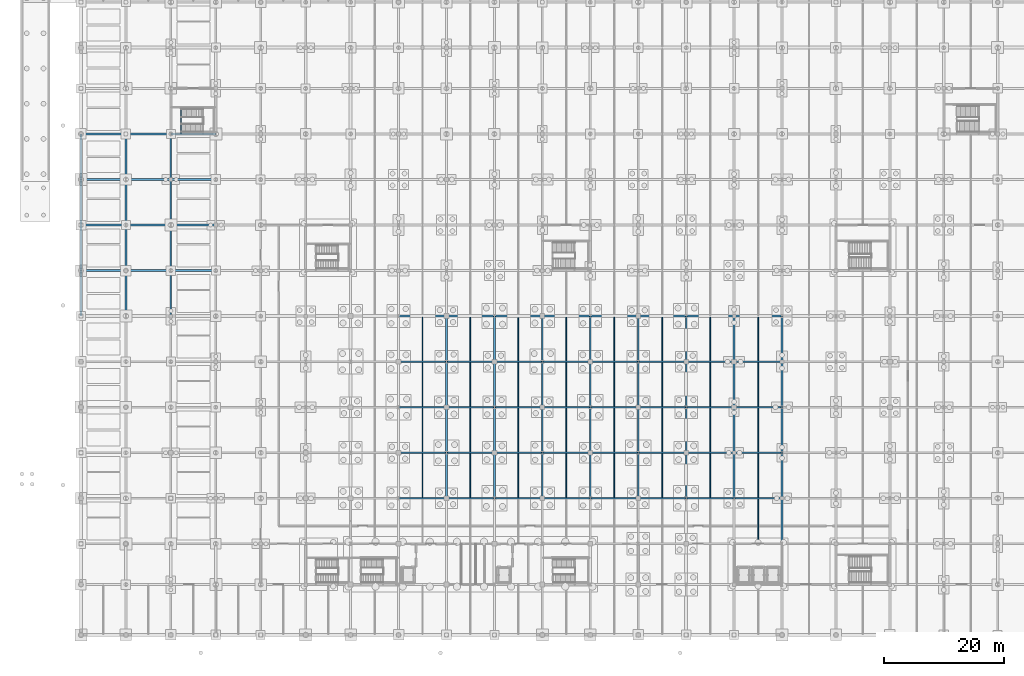
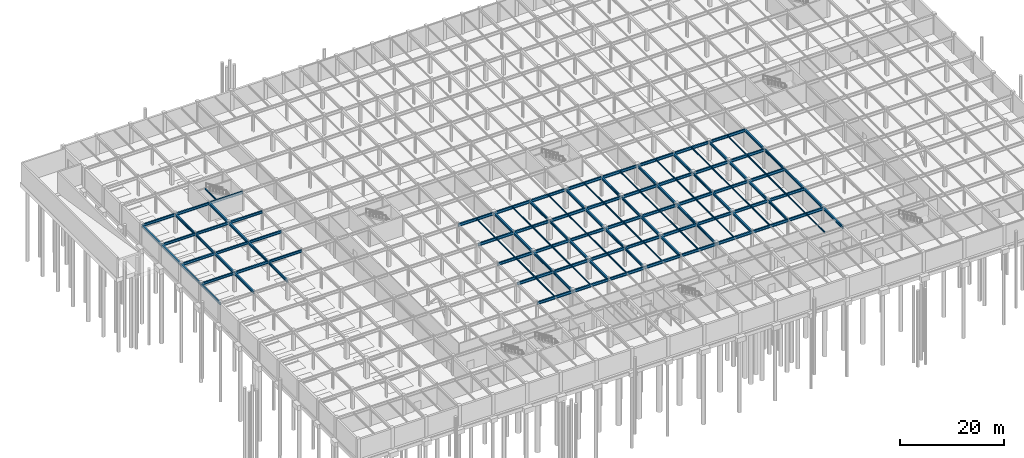
# One storey, part 31 of 53: 131 beams.
"""IFC4 building model written with IfcOpenShell, lengths in metres."""

import ifcopenshell
import ifcopenshell.guid

model = None  # the IFC model being written
_history = None  # IfcOwnerHistory: only IFC2X3 demands one
_inside = {}  # id of a spatial element -> (the spatial element, [elements in it])
_under = {}  # id of a project, library or spatial element -> (it, [spatial elements below it])
_declared = {}  # id of a project -> (the project, [libraries it declares])
_typed = {}  # id of a type object -> (the type object, [elements of that type])
_made_of = {}  # id of a material, layer set ... -> (it, [elements and type objects made of it])


def new_model(schema):
    """Start an empty IFC model of exactly this schema.

    Asked for "IFC4X3", IfcOpenShell would pick the latest addendum, in which some entities
    have other attributes; the version numbers below select the first issue.
    IFC2X3 requires an IfcOwnerHistory on every rooted entity: one is made here for all.
    """
    global model, _history
    if schema == "IFC4X3":
        model = ifcopenshell.file(schema_version=(4, 3, 0, 0))
    else:
        model = ifcopenshell.file(schema=schema)
    _inside.clear()
    _under.clear()
    _declared.clear()
    _typed.clear()
    _made_of.clear()
    _history = None
    if model.schema == "IFC2X3":
        org = make("IfcOrganization", Name="unknown")
        user = make(
            "IfcPersonAndOrganization",
            ThePerson=make("IfcPerson", FamilyName="unknown"),
            TheOrganization=org,
        )
        app = make(
            "IfcApplication",
            ApplicationDeveloper=org,
            Version="unknown",
            ApplicationFullName="unknown",
            ApplicationIdentifier="unknown",
        )
        _history = make(
            "IfcOwnerHistory",
            OwningUser=user,
            OwningApplication=app,
            ChangeAction="ADDED",
            CreationDate=0,
        )
    return model


def make(cls, **values):
    """One entity of the class cls with the attributes given. An attribute that is None is left unset."""
    return model.create_entity(
        cls, **{name: value for name, value in values.items() if value is not None}
    )


def rooted(cls, **values):
    """An entity with a GlobalId (a new one), such as an element, a storey or a relation."""
    return make(cls, GlobalId=ifcopenshell.guid.new(), OwnerHistory=_history, **values)


def si_unit(unit_type, name, prefix=None):
    """IfcSIUnit, for example si_unit("LENGTHUNIT", "METRE", prefix="MILLI")."""
    return make("IfcSIUnit", UnitType=unit_type, Prefix=prefix, Name=name)


def assignment(units):
    """IfcUnitAssignment: the units of a project."""
    return None if units is None else make("IfcUnitAssignment", Units=units)


def point(xyz):
    """IfcCartesianPoint."""
    return None if xyz is None else make("IfcCartesianPoint", Coordinates=xyz)


def direction(xyz):
    """IfcDirection."""
    return None if xyz is None else make("IfcDirection", DirectionRatios=xyz)


def frame(location, z_axis=None, x_axis=None):
    """IfcAxis2Placement3D, a coordinate frame: its origin and axes. An axis left out is left unset."""
    return make(
        "IfcAxis2Placement3D",
        Location=point(location),
        Axis=direction(z_axis),
        RefDirection=direction(x_axis),
    )


def frame_2d(location, x_axis=None):
    """IfcAxis2Placement2D, a coordinate frame in the plane: its origin and x axis."""
    return make(
        "IfcAxis2Placement2D", Location=point(location), RefDirection=direction(x_axis)
    )


def origin():
    """The frame at (0, 0, 0) with its axes left unset."""
    return frame((0.0, 0.0, 0.0))


def origin_2d():
    """The frame at (0, 0) in the plane with its x axis left unset."""
    return frame_2d((0.0, 0.0))


def place(relative_to, where):
    """IfcLocalPlacement: puts the frame where relative to a parent placement (None: the world)."""
    return make(
        "IfcLocalPlacement", PlacementRelTo=relative_to, RelativePlacement=where
    )


def context(
    kind, dimensions, precision=None, world=None, true_north=None, identifier=None
):
    """IfcGeometricRepresentationContext, for example the 3D "Model" context."""
    return make(
        "IfcGeometricRepresentationContext",
        ContextIdentifier=identifier,
        ContextType=kind,
        CoordinateSpaceDimension=dimensions,
        Precision=precision,
        WorldCoordinateSystem=world,
        TrueNorth=true_north,
    )


def subcontext(parent, identifier, kind, view, scale=None):
    """IfcGeometricRepresentationSubContext, for example "Body" below "Model"."""
    return make(
        "IfcGeometricRepresentationSubContext",
        ContextIdentifier=identifier,
        ContextType=kind,
        ParentContext=parent,
        TargetScale=scale,
        TargetView=view,
    )


def project(units=None, contexts=None):
    """IfcProject with its units and contexts."""
    return rooted(
        "IfcProject",
        Name="project",
        RepresentationContexts=contexts,
        UnitsInContext=assignment(units),
    )


def spatial(cls, under=None, at=None, **own):
    """A site, building, storey or space (cls), placed at a placement, below another one or the project."""
    s = rooted(cls, ObjectPlacement=at, **own)
    if under is not None:
        _under.setdefault(under.id(), (under, []))[1].append(s)
    return s


def profile(cls, at=None, kind="AREA", **sizes):
    """A parametric profile (cls). Its sizes go by their IFC names, for example OverallWidth=200.0."""
    return make(cls, ProfileType=kind, Position=at, **sizes)


def hollow_rectangle(**sizes):
    """IfcRectangleHollowProfileDef."""
    return profile("IfcRectangleHollowProfileDef", **sizes)


def i_section(**sizes):
    """IfcIShapeProfileDef."""
    return profile("IfcIShapeProfileDef", **sizes)


def extrude(swept, where, along, depth):
    """IfcExtrudedAreaSolid: the profile swept, set in the frame where, extruded along a direction by depth."""
    return make(
        "IfcExtrudedAreaSolid",
        SweptArea=swept,
        Position=where,
        ExtrudedDirection=direction(along),
        Depth=depth,
    )


def shape(context_of_items, identifier, shape_type, items):
    """IfcShapeRepresentation: the items that make up one representation, for example the "Body"."""
    return make(
        "IfcShapeRepresentation",
        ContextOfItems=context_of_items,
        RepresentationIdentifier=identifier,
        RepresentationType=shape_type,
        Items=items,
    )


def material(Name=None, Category=None):
    """IfcMaterial."""
    return make("IfcMaterial", Name=Name, Category=Category)


def material_profile(
    of_material, cross_section, Name=None, Category=None, Priority=None
):
    """IfcMaterialProfile: a cross section and its material."""
    return make(
        "IfcMaterialProfile",
        Name=Name,
        Material=of_material,
        Profile=cross_section,
        Priority=Priority,
        Category=Category,
    )


def profile_set(profiles, Name=None, composite=None):
    """IfcMaterialProfileSet."""
    return make(
        "IfcMaterialProfileSet",
        Name=Name,
        MaterialProfiles=profiles,
        CompositeProfile=composite,
    )


def made_of(thing, what):
    """Note that an element or type object is made of a material, layer set ...; save() writes the relation."""
    if what is not None:
        _made_of.setdefault(what.id(), (what, []))[1].append(thing)
    return thing


def type_object(cls, material=None, **own):
    """A type object (cls), such as IfcWallType, which elements share."""
    return made_of(rooted(cls, **own), material)


def element(
    cls,
    number,
    at=None,
    inside=None,
    cuts=None,
    type_object=None,
    material=None,
    context=None,
    identifier="Body",
    shape_type=None,
    held_by="IfcProductDefinitionShape",
    body=None,
    shapes=None,
    **own,
):
    """One element of the class cls, such as IfcWall. Its Tag is "e" and its number.

    at: its placement. inside: the storey or other place that contains it. cuts: it is an
    opening in that element (IfcRelVoidsElement). A single representation is given by context,
    identifier, shape_type and body (its items); several are given by shapes. held_by: the class
    of the entity that holds the representations. save() writes the other relations.
    """
    e = rooted(cls, Tag="e%d" % number, ObjectPlacement=at, **own)
    if body is not None:
        shapes = [shape(context, identifier, shape_type, body)]
    if shapes is not None:
        e.Representation = make(held_by, Representations=shapes)
    if inside is not None:
        _inside.setdefault(inside.id(), (inside, []))[1].append(e)
    if cuts is not None:
        rooted(
            "IfcRelVoidsElement", RelatingBuildingElement=cuts, RelatedOpeningElement=e
        )
    if type_object is not None:
        _typed.setdefault(type_object.id(), (type_object, []))[1].append(e)
    return made_of(e, material)


def aggregate(whole, parts):
    """IfcRelAggregates: a whole, such as a stair, and the parts it consists of."""
    return rooted("IfcRelAggregates", RelatingObject=whole, RelatedObjects=parts)


def save(model, path):
    """Write the relations noted so far, then the file.

    IfcRelAggregates (storeys below a building ...), IfcRelContainedInSpatialStructure (elements
    in a storey), IfcRelDefinesByType, IfcRelAssociatesMaterial and IfcRelDeclares: one each for
    every whole, place, type object, material and project.
    """
    for whole, parts in _under.values():
        aggregate(whole, parts)
    for where, things in _inside.values():
        rooted(
            "IfcRelContainedInSpatialStructure",
            RelatedElements=things,
            RelatingStructure=where,
        )
    for kind, things in _typed.values():
        rooted("IfcRelDefinesByType", RelatedObjects=things, RelatingType=kind)
    for what, things in _made_of.values():
        rooted("IfcRelAssociatesMaterial", RelatedObjects=things, RelatingMaterial=what)
    for by, libraries in _declared.values():
        rooted("IfcRelDeclares", RelatingContext=by, RelatedDefinitions=libraries)
    model.write(path)


model = new_model("IFC4")

# Units and contexts
model_context = context("Model", 3, precision=1e-05, world=origin(), true_north=direction((0.0, 1.0)))
body_context = subcontext(model_context, "Body", "Model", "MODEL_VIEW")
ifc_project = project(units=[si_unit("LENGTHUNIT", "METRE"), si_unit("AREAUNIT", "SQUARE_METRE"), si_unit("VOLUMEUNIT", "CUBIC_METRE"), si_unit("PLANEANGLEUNIT", "RADIAN"), si_unit("MASSUNIT", "GRAM", prefix="KILO")], contexts=[model_context])

# Site, building, storey
site_placement = place(None, origin())
site = spatial("IfcSite", under=ifc_project, at=site_placement, CompositionType="ELEMENT")
building_placement = place(site_placement, origin())
building = spatial("IfcBuilding", under=site, at=building_placement, Name="Shalkamar Park Central Library", CompositionType="ELEMENT")
storey_placement = place(building_placement, frame((0.0, 0.0, -4.800048828125)))
storey = spatial("IfcBuildingStorey", under=building, at=storey_placement, Name="B1", CompositionType="ELEMENT", Elevation=-4.800048828125)

# Beams
ifc_material = material(Name="Steel S355", Category="steel")
ifc_material_profile_1 = material_profile(ifc_material, i_section(OverallWidth=0.14990234375, OverallDepth=0.300048828125, WebThickness=0.007080078125, FlangeThickness=0.0107421875, FilletRadius=0.014892578125, at=origin_2d()), Name="IPE 300")
ifc_profile_set_1 = profile_set([ifc_material_profile_1], Name="Steel S355")
beam_type_1 = type_object("IfcBeamType", Name="Composite Floor Joist IPE300", PredefinedType="JOIST", material=ifc_profile_set_1)
for number, where, z_axis, x_axis, name in (
    (1, (177.0, 262.947998046875, 4.360107421875), (0.0, 1.0, 0.0), (-1.0, 0.0, 0.0), "Composite Joist 08/D-1 (B1)"),
    (2, (177.0, 285.748046875, 4.360107421875), (0.0, 1.0, 0.0), (-1.0, 0.0, 0.0), "Composite Joist 08/G-1 (B1)"),
    (3, (185.0, 262.947998046875, 4.360107421875), (0.0, 1.0, 0.0), (-1.0, 0.0, 0.0), "Composite Joist 09/D-1 (B1)"),
    (4, (185.0, 285.748046875, 4.360107421875), (0.0, 1.0, 0.0), (-1.0, 0.0, 0.0), "Composite Joist 09/G-1 (B1)"),
    (5, (193.0, 262.947998046875, 4.360107421875), (0.0, 1.0, 0.0), (-1.0, 0.0, 0.0), "Composite Joist 10/D-1 (B1)"),
    (6, (193.0, 285.748046875, 4.360107421875), (0.0, 1.0, 0.0), (-1.0, 0.0, 0.0), "Composite Joist 10/G-1 (B1)"),
    (7, (201.0, 262.947998046875, 4.360107421875), (0.0, 1.0, 0.0), (-1.0, 0.0, 0.0), "Composite Joist 11/D-1 (B1)"),
    (8, (201.0, 285.748046875, 4.360107421875), (0.0, 1.0, 0.0), (-1.0, 0.0, 0.0), "Composite Joist 11/G-1 (B1)"),
    (9, (209.0, 262.947998046875, 4.360107421875), (0.0, 1.0, 0.0), (-1.0, 0.0, 0.0), "Composite Joist 12/D-1 (B1)"),
    (10, (209.0, 285.748046875, 4.360107421875), (0.0, 1.0, 0.0), (-1.0, 0.0, 0.0), "Composite Joist 12/G-1 (B1)"),
    (11, (217.0, 262.947998046875, 4.360107421875), (0.0, 1.0, 0.0), (-1.0, 0.0, 0.0), "Composite Joist 13/D-1 (B1)"),
    (12, (217.0, 285.748046875, 4.360107421875), (0.0, 1.0, 0.0), (-1.0, 0.0, 0.0), "Composite Joist 13/G-1 (B1)"),
    (13, (225.0, 262.947998046875, 4.360107421875), (0.0, 1.0, 0.0), (-1.0, 0.0, 0.0), "Composite Joist 14/D-1 (B1)"),
    (14, (225.0, 285.748046875, 4.360107421875), (0.0, 1.0, 0.0), (-1.0, 0.0, 0.0), "Composite Joist 14/G-1 (B1)"),
    (15, (233.0, 262.947998046875, 4.360107421875), (0.0, 1.0, 0.0), (-1.0, 0.0, 0.0), "Composite Joist 15/D-1 (B1)"),
    (16, (233.0, 285.748046875, 4.360107421875), (0.0, 1.0, 0.0), (-1.0, 0.0, 0.0), "Composite Joist 15/G-1 (B1)"),
):
    element("IfcBeam", number, at=place(storey_placement, frame(where, z_axis=z_axis, x_axis=x_axis)), inside=storey, type_object=beam_type_1, Name=name, PredefinedType="JOIST", context=body_context, shape_type="SweptSolid", body=[
        extrude(i_section(OverallWidth=0.14990234375, OverallDepth=0.300048828125, WebThickness=0.007080078125, FlangeThickness=0.0107421875, FilletRadius=0.014892578125, at=origin_2d()), origin(), (0.0, 0.0, 1.0), 7.303955078125),
    ])
ifc_material_profile_2 = material_profile(ifc_material, i_section(OverallWidth=0.159912109375, OverallDepth=0.330078125, WebThickness=0.007568359375, FlangeThickness=0.011474609375, FilletRadius=0.01806640625, at=origin_2d()), Name="IPE 330")
ifc_profile_set_2 = profile_set([ifc_material_profile_2], Name="Steel S355")
beam_type_2 = type_object("IfcBeamType", Name="Composite Floor Joist IPE330", PredefinedType="JOIST", material=ifc_profile_set_2)
for number, where, z_axis, x_axis, name in (
    (17, (177.0, 270.548095703125, 4.344970703125), (0.0, 1.0, 0.0), (-1.0, 0.0, 0.0), "Composite Joist 08/E-1 (B1)"),
    (18, (177.0, 278.14794921875, 4.344970703125), (0.0, 1.0, 0.0), (-1.0, 0.0, 0.0), "Composite Joist 08/F-1 (B1)"),
    (19, (185.0, 270.548095703125, 4.344970703125), (0.0, 1.0, 0.0), (-1.0, 0.0, 0.0), "Composite Joist 09/E-1 (B1)"),
    (20, (185.0, 278.14794921875, 4.344970703125), (0.0, 1.0, 0.0), (-1.0, 0.0, 0.0), "Composite Joist 09/F-1 (B1)"),
    (21, (193.0, 270.548095703125, 4.344970703125), (0.0, 1.0, 0.0), (-1.0, 0.0, 0.0), "Composite Joist 10/E-1 (B1)"),
    (22, (193.0, 278.14794921875, 4.344970703125), (0.0, 1.0, 0.0), (-1.0, 0.0, 0.0), "Composite Joist 10/F-1 (B1)"),
    (23, (201.0, 270.548095703125, 4.344970703125), (0.0, 1.0, 0.0), (-1.0, 0.0, 0.0), "Composite Joist 11/E-1 (B1)"),
    (24, (201.0, 278.14794921875, 4.344970703125), (0.0, 1.0, 0.0), (-1.0, 0.0, 0.0), "Composite Joist 11/F-1 (B1)"),
    (25, (209.0, 270.548095703125, 4.344970703125), (0.0, 1.0, 0.0), (-1.0, 0.0, 0.0), "Composite Joist 12/E-1 (B1)"),
    (26, (209.0, 278.14794921875, 4.344970703125), (0.0, 1.0, 0.0), (-1.0, 0.0, 0.0), "Composite Joist 12/F-1 (B1)"),
    (27, (217.0, 270.548095703125, 4.344970703125), (0.0, 1.0, 0.0), (-1.0, 0.0, 0.0), "Composite Joist 13/E-1 (B1)"),
    (28, (217.0, 278.14794921875, 4.344970703125), (0.0, 1.0, 0.0), (-1.0, 0.0, 0.0), "Composite Joist 13/F-1 (B1)"),
    (29, (225.0, 270.548095703125, 4.344970703125), (0.0, 1.0, 0.0), (-1.0, 0.0, 0.0), "Composite Joist 14/E-1 (B1)"),
    (30, (225.0, 278.14794921875, 4.344970703125), (0.0, 1.0, 0.0), (-1.0, 0.0, 0.0), "Composite Joist 14/F-1 (B1)"),
):
    element("IfcBeam", number, at=place(storey_placement, frame(where, z_axis=z_axis, x_axis=x_axis)), inside=storey, type_object=beam_type_2, Name=name, PredefinedType="JOIST", context=body_context, shape_type="SweptSolid", body=[
        extrude(i_section(OverallWidth=0.159912109375, OverallDepth=0.330078125, WebThickness=0.007568359375, FlangeThickness=0.011474609375, FilletRadius=0.01806640625, at=origin_2d()), origin(), (0.0, 0.0, 1.0), 7.303955078125),
    ])
beam_1_placement = place(storey_placement, frame((233.0, 255.347900390625, 4.344970703125), z_axis=(0.0, 1.0, 0.0), x_axis=(-1.0, 0.0, 0.0)))
element("IfcBeam", 31, at=beam_1_placement, inside=storey, type_object=beam_type_2, Name="Composite Joist 15/C-1 (B1)", PredefinedType="JOIST", context=body_context, shape_type="SweptSolid", body=[
    extrude(i_section(OverallWidth=0.159912109375, OverallDepth=0.330078125, WebThickness=0.007568359375, FlangeThickness=0.011474609375, FilletRadius=0.01806640625, at=origin_2d()), origin(), (0.0, 0.0, 1.0), 7.30419921875),
])
for number, where, z_axis, x_axis, name in (
    (32, (233.0, 270.548095703125, 4.344970703125), (0.0, 1.0, 0.0), (-1.0, 0.0, 0.0), "Composite Joist 15/E-1 (B1)"),
    (33, (233.0, 278.14794921875, 4.344970703125), (0.0, 1.0, 0.0), (-1.0, 0.0, 0.0), "Composite Joist 15/F-1 (B1)"),
):
    element("IfcBeam", number, at=place(storey_placement, frame(where, z_axis=z_axis, x_axis=x_axis)), inside=storey, type_object=beam_type_2, Name=name, PredefinedType="JOIST", context=body_context, shape_type="SweptSolid", body=[
        extrude(i_section(OverallWidth=0.159912109375, OverallDepth=0.330078125, WebThickness=0.007568359375, FlangeThickness=0.011474609375, FilletRadius=0.01806640625, at=origin_2d()), origin(), (0.0, 0.0, 1.0), 7.303955078125),
    ])
ifc_material_profile_3 = material_profile(ifc_material, i_section(OverallWidth=0.300048828125, OverallDepth=0.60009765625, WebThickness=0.015380859375, FlangeThickness=0.030029296875, FilletRadius=0.027099609375, at=origin_2d()), Name="HEB 600")
ifc_profile_set_3 = profile_set([ifc_material_profile_3], Name="Steel S355")
beam_type_3 = type_object("IfcBeamType", Name="Primary Girder HEB600", PredefinedType="BEAM", material=ifc_profile_set_3)
for number, where, z_axis, x_axis, name in (
    (34, (120.0, 300.800048828125, 4.2099609375), (1.0, 0.0, 0.0), (0.0, 1.0, 0.0), "Beam J:01-02 (B1)"),
    (35, (127.5, 300.800048828125, 4.2099609375), (1.0, 0.0, 0.0), (0.0, 1.0, 0.0), "Beam J:02-03 (B1)"),
    (36, (135.0, 300.800048828125, 4.2099609375), (1.0, 0.0, 0.0), (0.0, 1.0, 0.0), "Beam J:03-04 (B1)"),
    (37, (120.0, 308.39990234375, 4.2099609375), (1.0, 0.0, 0.0), (0.0, 1.0, 0.0), "Beam K:01-02 (B1)"),
    (38, (127.5, 308.39990234375, 4.2099609375), (1.0, 0.0, 0.0), (0.0, 1.0, 0.0), "Beam K:02-03 (B1)"),
    (39, (135.0, 308.39990234375, 4.2099609375), (1.0, 0.0, 0.0), (0.0, 1.0, 0.0), "Beam K:03-04 (B1)"),
    (40, (120.0, 316.0, 4.2099609375), (1.0, 0.0, 0.0), (0.0, 1.0, 0.0), "Beam L:01-02 (B1)"),
    (41, (127.5, 316.0, 4.2099609375), (1.0, 0.0, 0.0), (0.0, 1.0, 0.0), "Beam L:02-03 (B1)"),
    (42, (135.0, 316.0, 4.2099609375), (1.0, 0.0, 0.0), (0.0, 1.0, 0.0), "Beam L:03-04 (B1)"),
    (43, (120.0, 323.60009765625, 4.2099609375), (1.0, 0.0, 0.0), (0.0, 1.0, 0.0), "Beam M:01-02 (B1)"),
    (44, (127.5, 323.60009765625, 4.2099609375), (1.0, 0.0, 0.0), (0.0, 1.0, 0.0), "Beam M:02-03 (B1)"),
    (45, (135.0, 323.60009765625, 4.2099609375), (1.0, 0.0, 0.0), (0.0, 1.0, 0.0), "Beam M:03-04 (B1)"),
):
    element("IfcBeam", number, at=place(storey_placement, frame(where, z_axis=z_axis, x_axis=x_axis)), inside=storey, type_object=beam_type_3, Name=name, PredefinedType="BEAM", context=body_context, shape_type="SweptSolid", body=[
        extrude(i_section(OverallWidth=0.300048828125, OverallDepth=0.60009765625, WebThickness=0.015380859375, FlangeThickness=0.030029296875, FilletRadius=0.027099609375, at=origin_2d()), origin(), (0.0, 0.0, 1.0), 7.5),
    ])
beam_2_placement = place(storey_placement, frame((120.0, 293.199951171875, 4.2099609375), z_axis=(0.0, 1.0, 0.0), x_axis=(-1.0, 0.0, 0.0)))
element("IfcBeam", 46, at=beam_2_placement, inside=storey, type_object=beam_type_3, Name="Beam 01:H-J (B1)", PredefinedType="BEAM", context=body_context, shape_type="SweptSolid", body=[
    extrude(i_section(OverallWidth=0.300048828125, OverallDepth=0.60009765625, WebThickness=0.015380859375, FlangeThickness=0.030029296875, FilletRadius=0.027099609375, at=origin_2d()), origin(), (0.0, 0.0, 1.0), 7.60009765625),
])
beam_3_placement = place(storey_placement, frame((120.0, 300.800048828125, 4.2099609375), z_axis=(0.0, 1.0, 0.0), x_axis=(-1.0, 0.0, 0.0)))
element("IfcBeam", 47, at=beam_3_placement, inside=storey, type_object=beam_type_3, Name="Beam 01:J-K (B1)", PredefinedType="BEAM", context=body_context, shape_type="SweptSolid", body=[
    extrude(i_section(OverallWidth=0.300048828125, OverallDepth=0.60009765625, WebThickness=0.015380859375, FlangeThickness=0.030029296875, FilletRadius=0.027099609375, at=origin_2d()), origin(), (0.0, 0.0, 1.0), 7.599853515625),
])
for number, where, z_axis, x_axis, name in (
    (48, (120.0, 308.39990234375, 4.2099609375), (0.0, 1.0, 0.0), (-1.0, 0.0, 0.0), "Beam 01:K-L (B1)"),
    (49, (120.0, 316.0, 4.2099609375), (0.0, 1.0, 0.0), (-1.0, 0.0, 0.0), "Beam 01:L-M (B1)"),
    (50, (127.5, 293.199951171875, 4.2099609375), (0.0, 1.0, 0.0), (-1.0, 0.0, 0.0), "Beam 02:H-J (B1)"),
):
    element("IfcBeam", number, at=place(storey_placement, frame(where, z_axis=z_axis, x_axis=x_axis)), inside=storey, type_object=beam_type_3, Name=name, PredefinedType="BEAM", context=body_context, shape_type="SweptSolid", body=[
        extrude(i_section(OverallWidth=0.300048828125, OverallDepth=0.60009765625, WebThickness=0.015380859375, FlangeThickness=0.030029296875, FilletRadius=0.027099609375, at=origin_2d()), origin(), (0.0, 0.0, 1.0), 7.60009765625),
    ])
beam_4_placement = place(storey_placement, frame((127.5, 300.800048828125, 4.2099609375), z_axis=(0.0, 1.0, 0.0), x_axis=(-1.0, 0.0, 0.0)))
element("IfcBeam", 51, at=beam_4_placement, inside=storey, type_object=beam_type_3, Name="Beam 02:J-K (B1)", PredefinedType="BEAM", context=body_context, shape_type="SweptSolid", body=[
    extrude(i_section(OverallWidth=0.300048828125, OverallDepth=0.60009765625, WebThickness=0.015380859375, FlangeThickness=0.030029296875, FilletRadius=0.027099609375, at=origin_2d()), origin(), (0.0, 0.0, 1.0), 7.599853515625),
])
for number, where, z_axis, x_axis, name in (
    (52, (127.5, 308.39990234375, 4.2099609375), (0.0, 1.0, 0.0), (-1.0, 0.0, 0.0), "Beam 02:K-L (B1)"),
    (53, (127.5, 316.0, 4.2099609375), (0.0, 1.0, 0.0), (-1.0, 0.0, 0.0), "Beam 02:L-M (B1)"),
    (54, (135.0, 293.199951171875, 4.2099609375), (0.0, 1.0, 0.0), (-1.0, 0.0, 0.0), "Beam 03:H-J (B1)"),
):
    element("IfcBeam", number, at=place(storey_placement, frame(where, z_axis=z_axis, x_axis=x_axis)), inside=storey, type_object=beam_type_3, Name=name, PredefinedType="BEAM", context=body_context, shape_type="SweptSolid", body=[
        extrude(i_section(OverallWidth=0.300048828125, OverallDepth=0.60009765625, WebThickness=0.015380859375, FlangeThickness=0.030029296875, FilletRadius=0.027099609375, at=origin_2d()), origin(), (0.0, 0.0, 1.0), 7.60009765625),
    ])
beam_5_placement = place(storey_placement, frame((135.0, 300.800048828125, 4.2099609375), z_axis=(0.0, 1.0, 0.0), x_axis=(-1.0, 0.0, 0.0)))
element("IfcBeam", 55, at=beam_5_placement, inside=storey, type_object=beam_type_3, Name="Beam 03:J-K (B1)", PredefinedType="BEAM", context=body_context, shape_type="SweptSolid", body=[
    extrude(i_section(OverallWidth=0.300048828125, OverallDepth=0.60009765625, WebThickness=0.015380859375, FlangeThickness=0.030029296875, FilletRadius=0.027099609375, at=origin_2d()), origin(), (0.0, 0.0, 1.0), 7.599853515625),
])
for number, where, z_axis, x_axis, name in (
    (56, (135.0, 308.39990234375, 4.2099609375), (0.0, 1.0, 0.0), (-1.0, 0.0, 0.0), "Beam 03:K-L (B1)"),
    (57, (135.0, 316.0, 4.2099609375), (0.0, 1.0, 0.0), (-1.0, 0.0, 0.0), "Beam 03:L-M (B1)"),
):
    element("IfcBeam", number, at=place(storey_placement, frame(where, z_axis=z_axis, x_axis=x_axis)), inside=storey, type_object=beam_type_3, Name=name, PredefinedType="BEAM", context=body_context, shape_type="SweptSolid", body=[
        extrude(i_section(OverallWidth=0.300048828125, OverallDepth=0.60009765625, WebThickness=0.015380859375, FlangeThickness=0.030029296875, FilletRadius=0.027099609375, at=origin_2d()), origin(), (0.0, 0.0, 1.0), 7.60009765625),
    ])
beam_6_placement = place(storey_placement, frame((181.0, 262.800048828125, 4.2099609375), z_axis=(0.0, 1.0, 0.0), x_axis=(-1.0, 0.0, 0.0)))
element("IfcBeam", 58, at=beam_6_placement, inside=storey, type_object=beam_type_3, Name="Beam 09:D-E (B1)", PredefinedType="BEAM", context=body_context, shape_type="SweptSolid", body=[
    extrude(i_section(OverallWidth=0.300048828125, OverallDepth=0.60009765625, WebThickness=0.015380859375, FlangeThickness=0.030029296875, FilletRadius=0.027099609375, at=origin_2d()), origin(), (0.0, 0.0, 1.0), 7.599853515625),
])
for number, where, z_axis, x_axis, name in (
    (59, (181.0, 270.39990234375, 4.2099609375), (0.0, 1.0, 0.0), (-1.0, 0.0, 0.0), "Beam 09:E-F (B1)"),
    (60, (181.0, 278.0, 4.2099609375), (0.0, 1.0, 0.0), (-1.0, 0.0, 0.0), "Beam 09:F-G (B1)"),
):
    element("IfcBeam", number, at=place(storey_placement, frame(where, z_axis=z_axis, x_axis=x_axis)), inside=storey, type_object=beam_type_3, Name=name, PredefinedType="BEAM", context=body_context, shape_type="SweptSolid", body=[
        extrude(i_section(OverallWidth=0.300048828125, OverallDepth=0.60009765625, WebThickness=0.015380859375, FlangeThickness=0.030029296875, FilletRadius=0.027099609375, at=origin_2d()), origin(), (0.0, 0.0, 1.0), 7.60009765625),
    ])
for number, where, z_axis, x_axis, name in (
    (61, (181.0, 285.60009765625, 4.2099609375), (0.0, 1.0, 0.0), (-1.0, 0.0, 0.0), "Beam 09:G-H (B1)"),
    (62, (189.0, 262.800048828125, 4.2099609375), (0.0, 1.0, 0.0), (-1.0, 0.0, 0.0), "Beam 10:D-E (B1)"),
):
    element("IfcBeam", number, at=place(storey_placement, frame(where, z_axis=z_axis, x_axis=x_axis)), inside=storey, type_object=beam_type_3, Name=name, PredefinedType="BEAM", context=body_context, shape_type="SweptSolid", body=[
        extrude(i_section(OverallWidth=0.300048828125, OverallDepth=0.60009765625, WebThickness=0.015380859375, FlangeThickness=0.030029296875, FilletRadius=0.027099609375, at=origin_2d()), origin(), (0.0, 0.0, 1.0), 7.599853515625),
    ])
for number, where, z_axis, x_axis, name in (
    (63, (189.0, 270.39990234375, 4.2099609375), (0.0, 1.0, 0.0), (-1.0, 0.0, 0.0), "Beam 10:E-F (B1)"),
    (64, (189.0, 278.0, 4.2099609375), (0.0, 1.0, 0.0), (-1.0, 0.0, 0.0), "Beam 10:F-G (B1)"),
):
    element("IfcBeam", number, at=place(storey_placement, frame(where, z_axis=z_axis, x_axis=x_axis)), inside=storey, type_object=beam_type_3, Name=name, PredefinedType="BEAM", context=body_context, shape_type="SweptSolid", body=[
        extrude(i_section(OverallWidth=0.300048828125, OverallDepth=0.60009765625, WebThickness=0.015380859375, FlangeThickness=0.030029296875, FilletRadius=0.027099609375, at=origin_2d()), origin(), (0.0, 0.0, 1.0), 7.60009765625),
    ])
for number, where, z_axis, x_axis, name in (
    (65, (189.0, 285.60009765625, 4.2099609375), (0.0, 1.0, 0.0), (-1.0, 0.0, 0.0), "Beam 10:G-H (B1)"),
    (66, (197.0, 262.800048828125, 4.2099609375), (0.0, 1.0, 0.0), (-1.0, 0.0, 0.0), "Beam 11:D-E (B1)"),
):
    element("IfcBeam", number, at=place(storey_placement, frame(where, z_axis=z_axis, x_axis=x_axis)), inside=storey, type_object=beam_type_3, Name=name, PredefinedType="BEAM", context=body_context, shape_type="SweptSolid", body=[
        extrude(i_section(OverallWidth=0.300048828125, OverallDepth=0.60009765625, WebThickness=0.015380859375, FlangeThickness=0.030029296875, FilletRadius=0.027099609375, at=origin_2d()), origin(), (0.0, 0.0, 1.0), 7.599853515625),
    ])
for number, where, z_axis, x_axis, name in (
    (67, (197.0, 270.39990234375, 4.2099609375), (0.0, 1.0, 0.0), (-1.0, 0.0, 0.0), "Beam 11:E-F (B1)"),
    (68, (197.0, 278.0, 4.2099609375), (0.0, 1.0, 0.0), (-1.0, 0.0, 0.0), "Beam 11:F-G (B1)"),
):
    element("IfcBeam", number, at=place(storey_placement, frame(where, z_axis=z_axis, x_axis=x_axis)), inside=storey, type_object=beam_type_3, Name=name, PredefinedType="BEAM", context=body_context, shape_type="SweptSolid", body=[
        extrude(i_section(OverallWidth=0.300048828125, OverallDepth=0.60009765625, WebThickness=0.015380859375, FlangeThickness=0.030029296875, FilletRadius=0.027099609375, at=origin_2d()), origin(), (0.0, 0.0, 1.0), 7.60009765625),
    ])
for number, where, z_axis, x_axis, name in (
    (69, (197.0, 285.60009765625, 4.2099609375), (0.0, 1.0, 0.0), (-1.0, 0.0, 0.0), "Beam 11:G-H (B1)"),
    (70, (205.0, 262.800048828125, 4.2099609375), (0.0, 1.0, 0.0), (-1.0, 0.0, 0.0), "Beam 12:D-E (B1)"),
):
    element("IfcBeam", number, at=place(storey_placement, frame(where, z_axis=z_axis, x_axis=x_axis)), inside=storey, type_object=beam_type_3, Name=name, PredefinedType="BEAM", context=body_context, shape_type="SweptSolid", body=[
        extrude(i_section(OverallWidth=0.300048828125, OverallDepth=0.60009765625, WebThickness=0.015380859375, FlangeThickness=0.030029296875, FilletRadius=0.027099609375, at=origin_2d()), origin(), (0.0, 0.0, 1.0), 7.599853515625),
    ])
for number, where, z_axis, x_axis, name in (
    (71, (205.0, 270.39990234375, 4.2099609375), (0.0, 1.0, 0.0), (-1.0, 0.0, 0.0), "Beam 12:E-F (B1)"),
    (72, (205.0, 278.0, 4.2099609375), (0.0, 1.0, 0.0), (-1.0, 0.0, 0.0), "Beam 12:F-G (B1)"),
):
    element("IfcBeam", number, at=place(storey_placement, frame(where, z_axis=z_axis, x_axis=x_axis)), inside=storey, type_object=beam_type_3, Name=name, PredefinedType="BEAM", context=body_context, shape_type="SweptSolid", body=[
        extrude(i_section(OverallWidth=0.300048828125, OverallDepth=0.60009765625, WebThickness=0.015380859375, FlangeThickness=0.030029296875, FilletRadius=0.027099609375, at=origin_2d()), origin(), (0.0, 0.0, 1.0), 7.60009765625),
    ])
for number, where, z_axis, x_axis, name in (
    (73, (205.0, 285.60009765625, 4.2099609375), (0.0, 1.0, 0.0), (-1.0, 0.0, 0.0), "Beam 12:G-H (B1)"),
    (74, (213.0, 262.800048828125, 4.2099609375), (0.0, 1.0, 0.0), (-1.0, 0.0, 0.0), "Beam 13:D-E (B1)"),
):
    element("IfcBeam", number, at=place(storey_placement, frame(where, z_axis=z_axis, x_axis=x_axis)), inside=storey, type_object=beam_type_3, Name=name, PredefinedType="BEAM", context=body_context, shape_type="SweptSolid", body=[
        extrude(i_section(OverallWidth=0.300048828125, OverallDepth=0.60009765625, WebThickness=0.015380859375, FlangeThickness=0.030029296875, FilletRadius=0.027099609375, at=origin_2d()), origin(), (0.0, 0.0, 1.0), 7.599853515625),
    ])
for number, where, z_axis, x_axis, name in (
    (75, (213.0, 270.39990234375, 4.2099609375), (0.0, 1.0, 0.0), (-1.0, 0.0, 0.0), "Beam 13:E-F (B1)"),
    (76, (213.0, 278.0, 4.2099609375), (0.0, 1.0, 0.0), (-1.0, 0.0, 0.0), "Beam 13:F-G (B1)"),
):
    element("IfcBeam", number, at=place(storey_placement, frame(where, z_axis=z_axis, x_axis=x_axis)), inside=storey, type_object=beam_type_3, Name=name, PredefinedType="BEAM", context=body_context, shape_type="SweptSolid", body=[
        extrude(i_section(OverallWidth=0.300048828125, OverallDepth=0.60009765625, WebThickness=0.015380859375, FlangeThickness=0.030029296875, FilletRadius=0.027099609375, at=origin_2d()), origin(), (0.0, 0.0, 1.0), 7.60009765625),
    ])
for number, where, z_axis, x_axis, name in (
    (77, (213.0, 285.60009765625, 4.2099609375), (0.0, 1.0, 0.0), (-1.0, 0.0, 0.0), "Beam 13:G-H (B1)"),
    (78, (221.0, 262.800048828125, 4.2099609375), (0.0, 1.0, 0.0), (-1.0, 0.0, 0.0), "Beam 14:D-E (B1)"),
):
    element("IfcBeam", number, at=place(storey_placement, frame(where, z_axis=z_axis, x_axis=x_axis)), inside=storey, type_object=beam_type_3, Name=name, PredefinedType="BEAM", context=body_context, shape_type="SweptSolid", body=[
        extrude(i_section(OverallWidth=0.300048828125, OverallDepth=0.60009765625, WebThickness=0.015380859375, FlangeThickness=0.030029296875, FilletRadius=0.027099609375, at=origin_2d()), origin(), (0.0, 0.0, 1.0), 7.599853515625),
    ])
for number, where, z_axis, x_axis, name in (
    (79, (221.0, 270.39990234375, 4.2099609375), (0.0, 1.0, 0.0), (-1.0, 0.0, 0.0), "Beam 14:E-F (B1)"),
    (80, (221.0, 278.0, 4.2099609375), (0.0, 1.0, 0.0), (-1.0, 0.0, 0.0), "Beam 14:F-G (B1)"),
):
    element("IfcBeam", number, at=place(storey_placement, frame(where, z_axis=z_axis, x_axis=x_axis)), inside=storey, type_object=beam_type_3, Name=name, PredefinedType="BEAM", context=body_context, shape_type="SweptSolid", body=[
        extrude(i_section(OverallWidth=0.300048828125, OverallDepth=0.60009765625, WebThickness=0.015380859375, FlangeThickness=0.030029296875, FilletRadius=0.027099609375, at=origin_2d()), origin(), (0.0, 0.0, 1.0), 7.60009765625),
    ])
for number, where, z_axis, x_axis, name in (
    (81, (221.0, 285.60009765625, 4.2099609375), (0.0, 1.0, 0.0), (-1.0, 0.0, 0.0), "Beam 14:G-H (B1)"),
    (82, (229.0, 262.800048828125, 4.2099609375), (0.0, 1.0, 0.0), (-1.0, 0.0, 0.0), "Beam 15:D-E (B1)"),
):
    element("IfcBeam", number, at=place(storey_placement, frame(where, z_axis=z_axis, x_axis=x_axis)), inside=storey, type_object=beam_type_3, Name=name, PredefinedType="BEAM", context=body_context, shape_type="SweptSolid", body=[
        extrude(i_section(OverallWidth=0.300048828125, OverallDepth=0.60009765625, WebThickness=0.015380859375, FlangeThickness=0.030029296875, FilletRadius=0.027099609375, at=origin_2d()), origin(), (0.0, 0.0, 1.0), 7.599853515625),
    ])
for number, where, z_axis, x_axis, name in (
    (83, (229.0, 270.39990234375, 4.2099609375), (0.0, 1.0, 0.0), (-1.0, 0.0, 0.0), "Beam 15:E-F (B1)"),
    (84, (229.0, 278.0, 4.2099609375), (0.0, 1.0, 0.0), (-1.0, 0.0, 0.0), "Beam 15:F-G (B1)"),
):
    element("IfcBeam", number, at=place(storey_placement, frame(where, z_axis=z_axis, x_axis=x_axis)), inside=storey, type_object=beam_type_3, Name=name, PredefinedType="BEAM", context=body_context, shape_type="SweptSolid", body=[
        extrude(i_section(OverallWidth=0.300048828125, OverallDepth=0.60009765625, WebThickness=0.015380859375, FlangeThickness=0.030029296875, FilletRadius=0.027099609375, at=origin_2d()), origin(), (0.0, 0.0, 1.0), 7.60009765625),
    ])
beam_7_placement = place(storey_placement, frame((229.0, 285.60009765625, 4.2099609375), z_axis=(0.0, 1.0, 0.0), x_axis=(-1.0, 0.0, 0.0)))
element("IfcBeam", 85, at=beam_7_placement, inside=storey, type_object=beam_type_3, Name="Beam 15:G-H (B1)", PredefinedType="BEAM", context=body_context, shape_type="SweptSolid", body=[
    extrude(i_section(OverallWidth=0.300048828125, OverallDepth=0.60009765625, WebThickness=0.015380859375, FlangeThickness=0.030029296875, FilletRadius=0.027099609375, at=origin_2d()), origin(), (0.0, 0.0, 1.0), 7.599853515625),
])
beam_8_placement = place(storey_placement, frame((237.0, 255.199951171875, 4.2099609375), z_axis=(0.0, 1.0, 0.0), x_axis=(-1.0, 0.0, 0.0)))
element("IfcBeam", 86, at=beam_8_placement, inside=storey, type_object=beam_type_3, Name="Beam 16:C-D (B1)", PredefinedType="BEAM", context=body_context, shape_type="SweptSolid", body=[
    extrude(i_section(OverallWidth=0.300048828125, OverallDepth=0.60009765625, WebThickness=0.015380859375, FlangeThickness=0.030029296875, FilletRadius=0.027099609375, at=origin_2d()), origin(), (0.0, 0.0, 1.0), 7.60009765625),
])
beam_9_placement = place(storey_placement, frame((237.0, 262.800048828125, 4.2099609375), z_axis=(0.0, 1.0, 0.0), x_axis=(-1.0, 0.0, 0.0)))
element("IfcBeam", 87, at=beam_9_placement, inside=storey, type_object=beam_type_3, Name="Beam 16:D-E (B1)", PredefinedType="BEAM", context=body_context, shape_type="SweptSolid", body=[
    extrude(i_section(OverallWidth=0.300048828125, OverallDepth=0.60009765625, WebThickness=0.015380859375, FlangeThickness=0.030029296875, FilletRadius=0.027099609375, at=origin_2d()), origin(), (0.0, 0.0, 1.0), 7.599853515625),
])
for number, where, z_axis, x_axis, name in (
    (88, (237.0, 270.39990234375, 4.2099609375), (0.0, 1.0, 0.0), (-1.0, 0.0, 0.0), "Beam 16:E-F (B1)"),
    (89, (237.0, 278.0, 4.2099609375), (0.0, 1.0, 0.0), (-1.0, 0.0, 0.0), "Beam 16:F-G (B1)"),
):
    element("IfcBeam", number, at=place(storey_placement, frame(where, z_axis=z_axis, x_axis=x_axis)), inside=storey, type_object=beam_type_3, Name=name, PredefinedType="BEAM", context=body_context, shape_type="SweptSolid", body=[
        extrude(i_section(OverallWidth=0.300048828125, OverallDepth=0.60009765625, WebThickness=0.015380859375, FlangeThickness=0.030029296875, FilletRadius=0.027099609375, at=origin_2d()), origin(), (0.0, 0.0, 1.0), 7.60009765625),
    ])
beam_10_placement = place(storey_placement, frame((237.0, 285.60009765625, 4.2099609375), z_axis=(0.0, 1.0, 0.0), x_axis=(-1.0, 0.0, 0.0)))
element("IfcBeam", 90, at=beam_10_placement, inside=storey, type_object=beam_type_3, Name="Beam 16:G-H (B1)", PredefinedType="BEAM", context=body_context, shape_type="SweptSolid", body=[
    extrude(i_section(OverallWidth=0.300048828125, OverallDepth=0.60009765625, WebThickness=0.015380859375, FlangeThickness=0.030029296875, FilletRadius=0.027099609375, at=origin_2d()), origin(), (0.0, 0.0, 1.0), 7.599853515625),
])
ifc_material_profile_4 = material_profile(ifc_material, i_section(OverallWidth=0.300048828125, OverallDepth=0.64990234375, WebThickness=0.01611328125, FlangeThickness=0.031005859375, FilletRadius=0.027099609375, at=origin_2d()), Name="HEB 650")
ifc_profile_set_4 = profile_set([ifc_material_profile_4], Name="Steel S355")
beam_type_4 = type_object("IfcBeamType", Name="Primary Girder HEB650", PredefinedType="BEAM", material=ifc_profile_set_4)
for number, where, z_axis, x_axis, name in (
    (91, (173.0, 262.800048828125, 4.18505859375), (1.0, 0.0, 0.0), (0.0, 1.0, 0.0), "Beam D:08-09 (B1)"),
    (92, (181.0, 262.800048828125, 4.18505859375), (1.0, 0.0, 0.0), (0.0, 1.0, 0.0), "Beam D:09-10 (B1)"),
    (93, (189.0, 262.800048828125, 4.18505859375), (1.0, 0.0, 0.0), (0.0, 1.0, 0.0), "Beam D:10-11 (B1)"),
    (94, (197.0, 262.800048828125, 4.18505859375), (1.0, 0.0, 0.0), (0.0, 1.0, 0.0), "Beam D:11-12 (B1)"),
    (95, (205.0, 262.800048828125, 4.18505859375), (1.0, 0.0, 0.0), (0.0, 1.0, 0.0), "Beam D:12-13 (B1)"),
    (96, (213.0, 262.800048828125, 4.18505859375), (1.0, 0.0, 0.0), (0.0, 1.0, 0.0), "Beam D:13-14 (B1)"),
    (97, (221.0, 262.800048828125, 4.18505859375), (1.0, 0.0, 0.0), (0.0, 1.0, 0.0), "Beam D:14-15 (B1)"),
    (98, (229.0, 262.800048828125, 4.18505859375), (1.0, 0.0, 0.0), (0.0, 1.0, 0.0), "Beam D:15-16 (B1)"),
    (99, (173.0, 270.39990234375, 4.18505859375), (1.0, 0.0, 0.0), (0.0, 1.0, 0.0), "Beam E:08-09 (B1)"),
    (100, (181.0, 270.39990234375, 4.18505859375), (1.0, 0.0, 0.0), (0.0, 1.0, 0.0), "Beam E:09-10 (B1)"),
    (101, (189.0, 270.39990234375, 4.18505859375), (1.0, 0.0, 0.0), (0.0, 1.0, 0.0), "Beam E:10-11 (B1)"),
    (102, (197.0, 270.39990234375, 4.18505859375), (1.0, 0.0, 0.0), (0.0, 1.0, 0.0), "Beam E:11-12 (B1)"),
    (103, (205.0, 270.39990234375, 4.18505859375), (1.0, 0.0, 0.0), (0.0, 1.0, 0.0), "Beam E:12-13 (B1)"),
    (104, (213.0, 270.39990234375, 4.18505859375), (1.0, 0.0, 0.0), (0.0, 1.0, 0.0), "Beam E:13-14 (B1)"),
    (105, (221.0, 270.39990234375, 4.18505859375), (1.0, 0.0, 0.0), (0.0, 1.0, 0.0), "Beam E:14-15 (B1)"),
    (106, (229.0, 270.39990234375, 4.18505859375), (1.0, 0.0, 0.0), (0.0, 1.0, 0.0), "Beam E:15-16 (B1)"),
    (107, (173.0, 278.0, 4.18505859375), (1.0, 0.0, 0.0), (0.0, 1.0, 0.0), "Beam F:08-09 (B1)"),
    (108, (181.0, 278.0, 4.18505859375), (1.0, 0.0, 0.0), (0.0, 1.0, 0.0), "Beam F:09-10 (B1)"),
    (109, (189.0, 278.0, 4.18505859375), (1.0, 0.0, 0.0), (0.0, 1.0, 0.0), "Beam F:10-11 (B1)"),
    (110, (197.0, 278.0, 4.18505859375), (1.0, 0.0, 0.0), (0.0, 1.0, 0.0), "Beam F:11-12 (B1)"),
    (111, (205.0, 278.0, 4.18505859375), (1.0, 0.0, 0.0), (0.0, 1.0, 0.0), "Beam F:12-13 (B1)"),
    (112, (213.0, 278.0, 4.18505859375), (1.0, 0.0, 0.0), (0.0, 1.0, 0.0), "Beam F:13-14 (B1)"),
    (113, (221.0, 278.0, 4.18505859375), (1.0, 0.0, 0.0), (0.0, 1.0, 0.0), "Beam F:14-15 (B1)"),
    (114, (229.0, 278.0, 4.18505859375), (1.0, 0.0, 0.0), (0.0, 1.0, 0.0), "Beam F:15-16 (B1)"),
    (115, (173.0, 285.60009765625, 4.18505859375), (1.0, 0.0, 0.0), (0.0, 1.0, 0.0), "Beam G:08-09 (B1)"),
    (116, (181.0, 285.60009765625, 4.18505859375), (1.0, 0.0, 0.0), (0.0, 1.0, 0.0), "Beam G:09-10 (B1)"),
    (117, (189.0, 285.60009765625, 4.18505859375), (1.0, 0.0, 0.0), (0.0, 1.0, 0.0), "Beam G:10-11 (B1)"),
    (118, (197.0, 285.60009765625, 4.18505859375), (1.0, 0.0, 0.0), (0.0, 1.0, 0.0), "Beam G:11-12 (B1)"),
    (119, (205.0, 285.60009765625, 4.18505859375), (1.0, 0.0, 0.0), (0.0, 1.0, 0.0), "Beam G:12-13 (B1)"),
    (120, (213.0, 285.60009765625, 4.18505859375), (1.0, 0.0, 0.0), (0.0, 1.0, 0.0), "Beam G:13-14 (B1)"),
    (121, (221.0, 285.60009765625, 4.18505859375), (1.0, 0.0, 0.0), (0.0, 1.0, 0.0), "Beam G:14-15 (B1)"),
    (122, (229.0, 285.60009765625, 4.18505859375), (1.0, 0.0, 0.0), (0.0, 1.0, 0.0), "Beam G:15-16 (B1)"),
    (123, (173.0, 293.199951171875, 4.18505859375), (1.0, 0.0, 0.0), (0.0, 1.0, 0.0), "Beam H:08-09 (B1)"),
    (124, (181.0, 293.199951171875, 4.18505859375), (1.0, 0.0, 0.0), (0.0, 1.0, 0.0), "Beam H:09-10 (B1)"),
    (125, (189.0, 293.199951171875, 4.18505859375), (1.0, 0.0, 0.0), (0.0, 1.0, 0.0), "Beam H:10-11 (B1)"),
    (126, (197.0, 293.199951171875, 4.18505859375), (1.0, 0.0, 0.0), (0.0, 1.0, 0.0), "Beam H:11-12 (B1)"),
    (127, (205.0, 293.199951171875, 4.18505859375), (1.0, 0.0, 0.0), (0.0, 1.0, 0.0), "Beam H:12-13 (B1)"),
    (128, (213.0, 293.199951171875, 4.18505859375), (1.0, 0.0, 0.0), (0.0, 1.0, 0.0), "Beam H:13-14 (B1)"),
    (129, (221.0, 293.199951171875, 4.18505859375), (1.0, 0.0, 0.0), (0.0, 1.0, 0.0), "Beam H:14-15 (B1)"),
    (130, (229.0, 293.199951171875, 4.18505859375), (1.0, 0.0, 0.0), (0.0, 1.0, 0.0), "Beam H:15-16 (B1)"),
):
    element("IfcBeam", number, at=place(storey_placement, frame(where, z_axis=z_axis, x_axis=x_axis)), inside=storey, type_object=beam_type_4, Name=name, PredefinedType="BEAM", context=body_context, shape_type="SweptSolid", body=[
        extrude(i_section(OverallWidth=0.300048828125, OverallDepth=0.64990234375, WebThickness=0.01611328125, FlangeThickness=0.031005859375, FilletRadius=0.027099609375, at=origin_2d()), origin(), (0.0, 0.0, 1.0), 8.0),
    ])
ifc_material_profile_5 = material_profile(ifc_material, hollow_rectangle(XDim=0.199951171875, YDim=0.300048828125, WallThickness=0.011962890625, InnerFilletRadius=0.011962890625, OuterFilletRadius=0.01806640625, at=origin_2d()), Name="RHS 300x200x12")
ifc_profile_set_5 = profile_set([ifc_material_profile_5], Name="Steel S355")
beam_type_5 = type_object("IfcBeamType", Name="Stair Trimmer Box RHS300x200", PredefinedType="BEAM", material=ifc_profile_set_5)
beam_11_placement = place(storey_placement, frame((136.675048828125, 323.60009765625, 4.360107421875), z_axis=(0.0, 1.0, 0.0), x_axis=(-1.0, 0.0, 0.0)))
element("IfcBeam", 131, at=beam_11_placement, inside=storey, type_object=beam_type_5, Name="Stair Arrival Trimmer Girder ST-P5-B1", PredefinedType="BEAM", context=body_context, shape_type="SweptSolid", body=[
    extrude(hollow_rectangle(XDim=0.199951171875, YDim=0.300048828125, WallThickness=0.011962890625, InnerFilletRadius=0.011962890625, OuterFilletRadius=0.01806640625, at=origin_2d()), origin(), (0.0, 0.0, 1.0), 4.449951171875),
])

save(model, "model.ifc")
